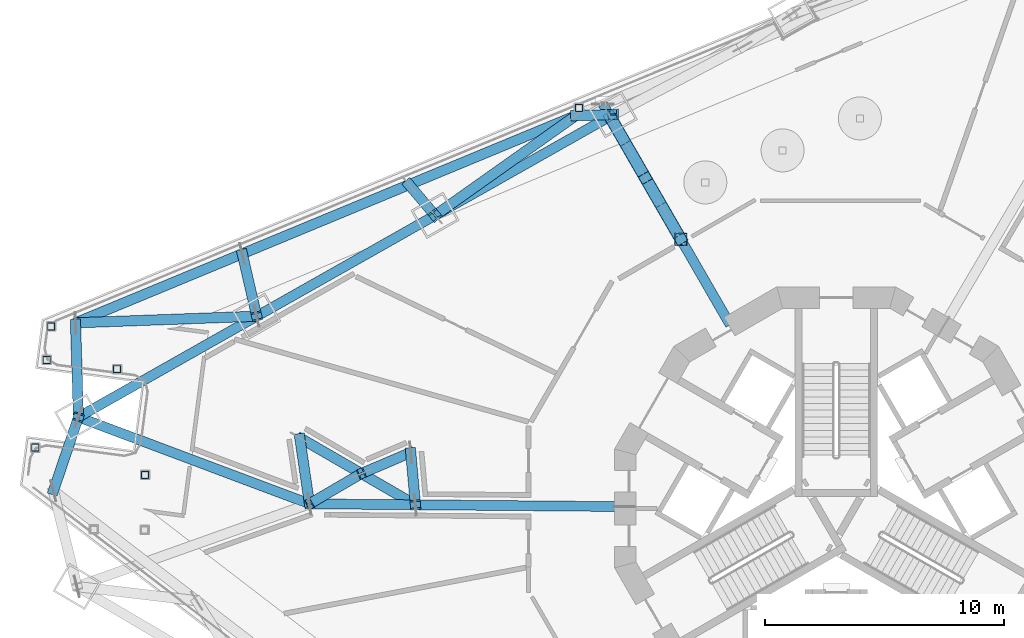
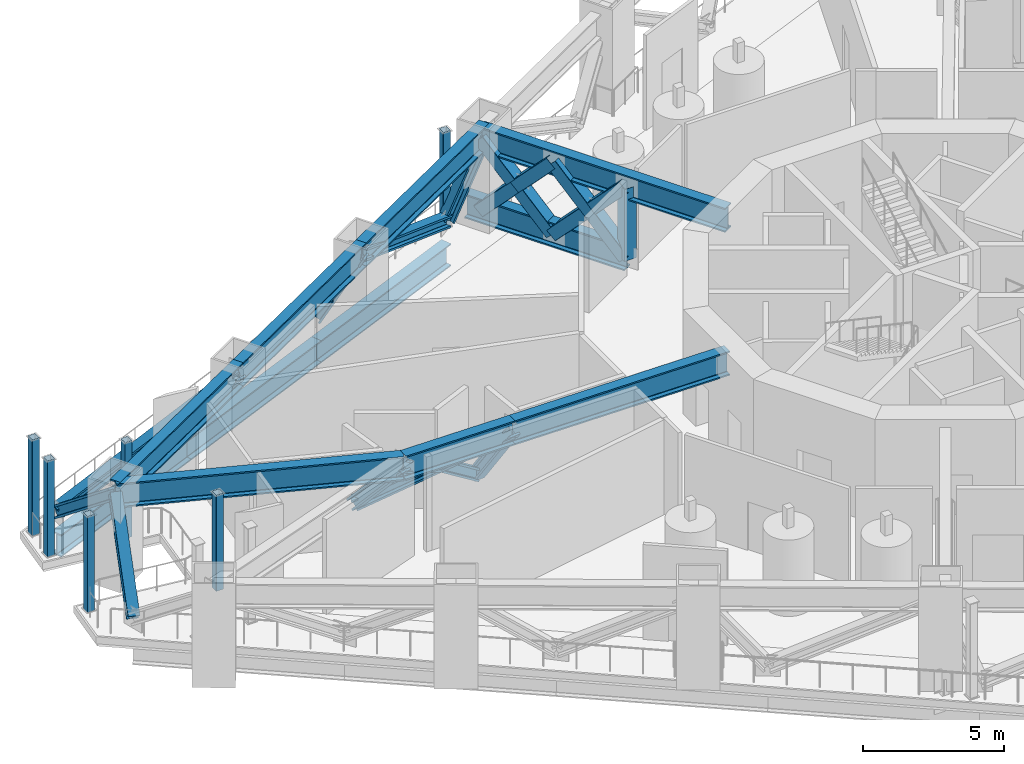
# One storey, part 4 of 23: 33 members, 3 beams.
"""IFC4 building model written with IfcOpenShell, lengths in metres."""

from ifc_helpers import new_model, si_unit, direction, frame, origin, origin_2d, place, context, subcontext, project, spatial, hollow_rectangle, i_section, extrude, material, material_profile, profile_set, type_object, element, save


model = new_model("IFC4")

# Units and contexts
model_context = context("Model", 3, precision=1e-05, world=origin(), true_north=direction((0.0, 1.0)))
body_context = subcontext(model_context, "Body", "Model", "MODEL_VIEW")
ifc_project = project(units=[si_unit("LENGTHUNIT", "METRE"), si_unit("AREAUNIT", "SQUARE_METRE"), si_unit("VOLUMEUNIT", "CUBIC_METRE"), si_unit("PLANEANGLEUNIT", "RADIAN"), si_unit("MASSUNIT", "GRAM", prefix="KILO")], contexts=[model_context])

# Site, building, storey
site_placement = place(None, origin())
site = spatial("IfcSite", under=ifc_project, at=site_placement, CompositionType="ELEMENT")
building_placement = place(site_placement, origin())
building = spatial("IfcBuilding", under=site, at=building_placement, Name="Trine Commons Tower", CompositionType="ELEMENT")
storey_placement = place(building_placement, frame((0.0, 0.0, 156.60009765625)))
storey = spatial("IfcBuildingStorey", under=building, at=storey_placement, Name="L40", CompositionType="ELEMENT", Elevation=156.60009765625)

# Beams
ifc_material_1 = material(Name="Structural steel ASTM A992 Gr50", Category="steel")
ifc_material_profile_1 = material_profile(ifc_material_1, i_section(OverallWidth=0.412841796875, OverallDepth=1.0478515625, WebThickness=0.033935546875, FlangeThickness=0.059814453125, FilletRadius=0.030029296875, at=origin_2d()), Name="W40X431")
ifc_profile_set_1 = profile_set([ifc_material_profile_1], Name="Structural steel ASTM A992 Gr50")
beam_type = type_object("IfcBeamType", Name="Steel beam W40X431, ASTM A992 Gr50", PredefinedType="BEAM", material=ifc_profile_set_1)
beam_1_placement = place(storey_placement, frame((48.29638671875, 66.3212890625, 3.6259765625), z_axis=(0.936202794011, -0.351460280097, 0.0), x_axis=(0.351460280097, 0.936202794011, 0.0)))
element("IfcBeam", 1, at=beam_1_placement, inside=storey, type_object=beam_type, Name="Transfer truss girder T4-UV-02", PredefinedType="BEAM", context=body_context, shape_type="SweptSolid", body=[
    extrude(i_section(OverallWidth=0.412841796875, OverallDepth=1.0478515625, WebThickness=0.033935546875, FlangeThickness=0.059814453125, FilletRadius=0.030029296875, at=origin_2d()), origin(), (0.0, 0.0, 1.0), 10.3251953125),
])
beam_2_placement = place(storey_placement, frame((71.127197265625, 62.577392578125, 3.6259765625), z_axis=(-0.999961955719, 0.008722792803, 0.0), x_axis=(-0.008722792803, -0.999961955719, 0.0)))
element("IfcBeam", 2, at=beam_2_placement, inside=storey, type_object=beam_type, Name="Transfer truss girder T4-UR-05", PredefinedType="BEAM", context=body_context, shape_type="SweptSolid", body=[
    extrude(i_section(OverallWidth=0.412841796875, OverallDepth=1.0478515625, WebThickness=0.033935546875, FlangeThickness=0.059814453125, FilletRadius=0.030029296875, at=origin_2d()), origin(), (0.0, 0.0, 1.0), 8.732421875),
])
beam_3_placement = place(storey_placement, frame((62.39501953125, 62.653564453125, 3.6259765625), z_axis=(-0.999961647418, 0.008758064445, 0.0), x_axis=(-0.008758064445, -0.999961647418, 0.0)))
element("IfcBeam", 3, at=beam_3_placement, inside=storey, type_object=beam_type, Name="Transfer truss girder T4-UR-06", PredefinedType="BEAM", context=body_context, shape_type="SweptSolid", body=[
    extrude(i_section(OverallWidth=0.412841796875, OverallDepth=1.0478515625, WebThickness=0.033935546875, FlangeThickness=0.059814453125, FilletRadius=0.030029296875, at=origin_2d()), origin(), (0.0, 0.0, 1.0), 4.432373046875),
])

# Members
ifc_material_2 = material(Name="Structural steel ASTM A500 Gr C", Category="steel")
ifc_material_profile_2 = material_profile(ifc_material_2, hollow_rectangle(XDim=0.508056640625, YDim=0.508056640625, WallThickness=0.014892578125, InnerFilletRadius=0.00732421875, OuterFilletRadius=0.022216796875, at=origin_2d()), Name="HSS20X20X5/8")
ifc_profile_set_2 = profile_set([ifc_material_profile_2], Name="Structural steel ASTM A500 Gr C")
member_type_1 = type_object("IfcMemberType", Name="Steel brace HSS20X20X5/8, ASTM A500 Gr C", PredefinedType="BRACE", material=ifc_profile_set_2)
member_1_placement = place(storey_placement, frame((73.5, 73.75830078125, 0.523681640625), z_axis=(-0.345729391684, 0.598786705019, 0.722444232878), x_axis=(-0.866013049743, -0.500021397217, 0.0)))
element("IfcMember", 4, at=member_1_placement, inside=storey, type_object=member_type_1, Name="Outrigger truss brace T4-OB-01", PredefinedType="BRACE", context=body_context, shape_type="SweptSolid", body=[
    extrude(hollow_rectangle(XDim=0.508056640625, YDim=0.508056640625, WallThickness=0.014892578125, InnerFilletRadius=0.00732421875, OuterFilletRadius=0.022216796875, at=origin_2d()), origin(), (0.0, 0.0, 1.0), 4.294189453125),
])
member_2_placement = place(storey_placement, frame((73.5, 73.75830078125, 3.6259765625), z_axis=(-0.34569353113, 0.598823070701, -0.722431251076), x_axis=(-0.866048655292, -0.499959725045, 0.0)))
element("IfcMember", 5, at=member_2_placement, inside=storey, type_object=member_type_1, Name="Outrigger truss brace T4-OB-02a", PredefinedType="BRACE", context=body_context, shape_type="SweptSolid", body=[
    extrude(hollow_rectangle(XDim=0.508056640625, YDim=0.508056640625, WallThickness=0.014892578125, InnerFilletRadius=0.00732421875, OuterFilletRadius=0.022216796875, at=origin_2d()), origin(), (0.0, 0.0, 1.0), 2.14697265625),
])
member_3_placement = place(storey_placement, frame((72.7578125, 75.0439453125, 2.074951171875), z_axis=(-0.345765246923, 0.59875034209, -0.722457211098), x_axis=(-0.865977442731, -0.500083061782, 0.0)))
element("IfcMember", 6, at=member_3_placement, inside=storey, type_object=member_type_1, Name="Outrigger truss brace T4-OB-02b", PredefinedType="BRACE", context=body_context, shape_type="SweptSolid", body=[
    extrude(hollow_rectangle(XDim=0.508056640625, YDim=0.508056640625, WallThickness=0.014892578125, InnerFilletRadius=0.00732421875, OuterFilletRadius=0.022216796875, at=origin_2d()), origin(), (0.0, 0.0, 1.0), 2.147216796875),
])
member_4_placement = place(storey_placement, frame((72.015380859375, 76.32958984375, 0.523681640625), z_axis=(-0.345679331868, 0.598798474216, 0.722458432573), x_axis=(-0.866048655292, -0.499959725045, 0.0)))
element("IfcMember", 7, at=member_4_placement, inside=storey, type_object=member_type_1, Name="Outrigger truss brace T4-OB-03", PredefinedType="BRACE", context=body_context, shape_type="SweptSolid", body=[
    extrude(hollow_rectangle(XDim=0.508056640625, YDim=0.508056640625, WallThickness=0.014892578125, InnerFilletRadius=0.00732421875, OuterFilletRadius=0.022216796875, at=origin_2d()), origin(), (0.0, 0.0, 1.0), 4.294189453125),
])
member_5_placement = place(storey_placement, frame((72.015380859375, 76.32958984375, 3.6259765625), z_axis=(-0.34569353113, 0.598823070701, -0.722431251076), x_axis=(-0.866048655292, -0.499959725045, 0.0)))
element("IfcMember", 8, at=member_5_placement, inside=storey, type_object=member_type_1, Name="Outrigger truss brace T4-OB-04a", PredefinedType="BRACE", context=body_context, shape_type="SweptSolid", body=[
    extrude(hollow_rectangle(XDim=0.508056640625, YDim=0.508056640625, WallThickness=0.014892578125, InnerFilletRadius=0.00732421875, OuterFilletRadius=0.022216796875, at=origin_2d()), origin(), (0.0, 0.0, 1.0), 2.14697265625),
])
member_6_placement = place(storey_placement, frame((71.273193359375, 77.615234375, 2.074951171875), z_axis=(-0.345665133238, 0.598773878826, -0.722485610721), x_axis=(-0.866048655292, -0.499959725045, 0.0)))
element("IfcMember", 9, at=member_6_placement, inside=storey, type_object=member_type_1, Name="Outrigger truss brace T4-OB-04b", PredefinedType="BRACE", context=body_context, shape_type="SweptSolid", body=[
    extrude(hollow_rectangle(XDim=0.508056640625, YDim=0.508056640625, WallThickness=0.014892578125, InnerFilletRadius=0.00732421875, OuterFilletRadius=0.022216796875, at=origin_2d()), origin(), (0.0, 0.0, 1.0), 2.147216796875),
])
ifc_material_profile_3 = material_profile(ifc_material_1, i_section(OverallWidth=0.4287109375, OverallDepth=0.482666015625, WebThickness=0.05126953125, FlangeThickness=0.08154296875, FilletRadius=0.015380859375, at=origin_2d()), Name="W14X455")
ifc_profile_set_3 = profile_set([ifc_material_profile_3], Name="Structural steel ASTM A992 Gr50")
member_type_2 = type_object("IfcMemberType", Name="Steel brace W14X455, ASTM A992 Gr50", PredefinedType="BRACE", material=ifc_profile_set_3)
member_7_placement = place(storey_placement, frame((47.248779296875, 63.23681640625, 0.482421875), z_axis=(0.231415090209, 0.681355919295, 0.694407061647), x_axis=(-0.946876852119, 0.32159637268, 0.0)))
element("IfcMember", 10, at=member_7_placement, inside=storey, type_object=member_type_2, Name="Belt truss brace T4-DG-15", PredefinedType="BRACE", context=body_context, shape_type="SweptSolid", body=[
    extrude(i_section(OverallWidth=0.4287109375, OverallDepth=0.482666015625, WebThickness=0.05126953125, FlangeThickness=0.08154296875, FilletRadius=0.015380859375, at=origin_2d()), origin(), (0.0, 0.0, 1.0), 4.52685546875),
])
member_8_placement = place(storey_placement, frame((48.174072265625, 70.264892578125, 0.482421875), z_axis=(0.024246174286, -0.781733439612, 0.623141197824), x_axis=(0.999519353406, 0.031001002666, 0.0)))
element("IfcMember", 11, at=member_8_placement, inside=storey, type_object=member_type_2, Name="Belt truss brace T4-DG-16", PredefinedType="BRACE", context=body_context, shape_type="SweptSolid", body=[
    extrude(i_section(OverallWidth=0.4287109375, OverallDepth=0.482666015625, WebThickness=0.05126953125, FlangeThickness=0.08154296875, FilletRadius=0.015380859375, at=origin_2d()), origin(), (0.0, 0.0, 1.0), 5.044677734375),
])
member_9_placement = place(storey_placement, frame((55.151123046875, 73.155029296875, 0.482421875), z_axis=(0.146339572735, -0.632385460863, 0.760705829043), x_axis=(0.974254489396, 0.225451080926, 0.0)))
element("IfcMember", 12, at=member_9_placement, inside=storey, type_object=member_type_2, Name="Belt truss brace T4-DG-17", PredefinedType="BRACE", context=body_context, shape_type="SweptSolid", body=[
    extrude(i_section(OverallWidth=0.4287109375, OverallDepth=0.482666015625, WebThickness=0.05126953125, FlangeThickness=0.08154296875, FilletRadius=0.015380859375, at=origin_2d()), origin(), (0.0, 0.0, 1.0), 4.13232421875),
])
member_10_placement = place(storey_placement, frame((48.174072265625, 70.264892578125, 0.482421875), z_axis=(0.92322191507, 0.033712241239, 0.382785553967), x_axis=(-0.036491538011, 0.999333962023, 0.0)))
element("IfcMember", 13, at=member_10_placement, inside=storey, type_object=member_type_2, Name="Belt truss brace T4-DG-18", PredefinedType="BRACE", context=body_context, shape_type="SweptSolid", body=[
    extrude(i_section(OverallWidth=0.4287109375, OverallDepth=0.482666015625, WebThickness=0.05126953125, FlangeThickness=0.08154296875, FilletRadius=0.015380859375, at=origin_2d()), origin(), (0.0, 0.0, 1.0), 8.21240234375),
])
member_11_placement = place(storey_placement, frame((62.128173828125, 76.044921875, 0.482421875), z_axis=(0.304883806334, -0.35987520267, 0.881779849587), x_axis=(0.7629951227, 0.646404240963, 0.0)))
element("IfcMember", 14, at=member_11_placement, inside=storey, type_object=member_type_2, Name="Belt truss brace T4-DG-19", PredefinedType="BRACE", context=body_context, shape_type="SweptSolid", body=[
    extrude(i_section(OverallWidth=0.4287109375, OverallDepth=0.482666015625, WebThickness=0.05126953125, FlangeThickness=0.08154296875, FilletRadius=0.015380859375, at=origin_2d()), origin(), (0.0, 0.0, 1.0), 3.56494140625),
])
member_12_placement = place(storey_placement, frame((69.105224609375, 78.93505859375, 0.482421875), z_axis=(-0.748106186012, -0.530024829541, 0.399262838892), x_axis=(0.578101792354, -0.815964654674, 0.0)))
element("IfcMember", 15, at=member_12_placement, inside=storey, type_object=member_type_2, Name="Belt truss brace T4-DG-20", PredefinedType="BRACE", context=body_context, shape_type="SweptSolid", body=[
    extrude(i_section(OverallWidth=0.4287109375, OverallDepth=0.482666015625, WebThickness=0.05126953125, FlangeThickness=0.08154296875, FilletRadius=0.015380859375, at=origin_2d()), origin(), (0.0, 0.0, 1.0), 7.873291015625),
])
member_13_placement = place(storey_placement, frame((69.105224609375, 78.93505859375, 0.482421875), z_axis=(0.446672659892, 0.01347868969, 0.894595919859), x_axis=(-0.030162036758, 0.999545022267, 0.0)))
element("IfcMember", 16, at=member_13_placement, inside=storey, type_object=member_type_2, Name="Belt truss brace T4-DG-21", PredefinedType="BRACE", context=body_context, shape_type="SweptSolid", body=[
    extrude(i_section(OverallWidth=0.4287109375, OverallDepth=0.482666015625, WebThickness=0.05126953125, FlangeThickness=0.08154296875, FilletRadius=0.015380859375, at=origin_2d()), origin(), (0.0, 0.0, 1.0), 3.513916015625),
])
member_14_placement = place(storey_placement, frame((62.198974609375, 64.843505859375, 0.482421875), z_axis=(0.051104314136, -0.570866373348, 0.819450994787), x_axis=(0.99601695292, 0.089164059442, 0.0)))
element("IfcMember", 17, at=member_14_placement, inside=storey, type_object=member_type_2, Name="Belt truss brace T4-DG-51", PredefinedType="BRACE", context=body_context, shape_type="SweptSolid", body=[
    extrude(i_section(OverallWidth=0.4287109375, OverallDepth=0.482666015625, WebThickness=0.05126953125, FlangeThickness=0.08154296875, FilletRadius=0.015380859375, at=origin_2d()), origin(), (0.0, 0.0, 1.0), 3.836181640625),
])
member_15_placement = place(storey_placement, frame((57.556884765625, 65.45458984375, 0.482421875), z_axis=(0.75434672742, -0.436727052717, 0.490133141356), x_axis=(0.501036270542, 0.865426285481, 0.0)))
element("IfcMember", 18, at=member_15_placement, inside=storey, type_object=member_type_2, Name="Belt truss brace T4-DG-52", PredefinedType="BRACE", context=body_context, shape_type="SweptSolid", body=[
    extrude(i_section(OverallWidth=0.4287109375, OverallDepth=0.482666015625, WebThickness=0.05126953125, FlangeThickness=0.08154296875, FilletRadius=0.015380859375, at=origin_2d()), origin(), (0.0, 0.0, 1.0), 6.41357421875),
])
member_16_placement = place(storey_placement, frame((57.556884765625, 65.45458984375, 0.482421875), z_axis=(0.096568029577, -0.65698778511, 0.747690889259), x_axis=(0.989369499075, 0.14542349982, 0.0)))
element("IfcMember", 19, at=member_16_placement, inside=storey, type_object=member_type_2, Name="Belt truss brace T4-DG-53", PredefinedType="BRACE", context=body_context, shape_type="SweptSolid", body=[
    extrude(i_section(OverallWidth=0.4287109375, OverallDepth=0.482666015625, WebThickness=0.05126953125, FlangeThickness=0.08154296875, FilletRadius=0.015380859375, at=origin_2d()), origin(), (0.0, 0.0, 1.0), 4.204345703125),
])
member_17_placement = place(storey_placement, frame((62.198974609375, 64.843505859375, 0.482421875), z_axis=(-0.736913700658, -0.314798932104, 0.598213866546), x_axis=(0.392842377846, -0.919605821082, 0.0)))
element("IfcMember", 20, at=member_17_placement, inside=storey, type_object=member_type_2, Name="Belt truss brace T4-DG-54a", PredefinedType="BRACE", context=body_context, shape_type="SweptSolid", body=[
    extrude(i_section(OverallWidth=0.4287109375, OverallDepth=0.482666015625, WebThickness=0.05126953125, FlangeThickness=0.08154296875, FilletRadius=0.015380859375, at=origin_2d()), origin(), (0.0, 0.0, 1.0), 2.800537109375),
])
member_18_placement = place(storey_placement, frame((60.13525390625, 63.9619140625, 2.15771484375), z_axis=(-0.745699654417, -0.435787615528, 0.50400513842), x_axis=(0.504558626068, -0.863377433606, 0.0)))
element("IfcMember", 21, at=member_18_placement, inside=storey, type_object=member_type_2, Name="Belt truss brace T4-DG-54b", PredefinedType="BRACE", context=body_context, shape_type="SweptSolid", body=[
    extrude(i_section(OverallWidth=0.4287109375, OverallDepth=0.482666015625, WebThickness=0.05126953125, FlangeThickness=0.08154296875, FilletRadius=0.015380859375, at=origin_2d()), origin(), (0.0, 0.0, 1.0), 2.9130859375),
])
ifc_material_profile_4 = material_profile(ifc_material_1, i_section(OverallWidth=0.42529296875, OverallDepth=0.965087890625, WebThickness=0.0283203125, FlangeThickness=0.051025390625, FilletRadius=0.024169921875, at=origin_2d()), Name="W36X361")
ifc_profile_set_4 = profile_set([ifc_material_profile_4], Name="Structural steel ASTM A992 Gr50")
member_type_3 = type_object("IfcMemberType", Name="Steel chord W36X361, ASTM A992 Gr50", PredefinedType="CHORD", material=ifc_profile_set_4)
member_19_placement = place(storey_placement, frame((48.174072265625, 70.264892578125, -0.9326171875), z_axis=(0.923872619505, 0.382700121412, 0.0), x_axis=(-0.382700121412, 0.923872619505, 0.0)))
element("IfcMember", 22, at=member_19_placement, inside=storey, type_object=member_type_3, Name="Belt truss chord T4-LC-08", PredefinedType="CHORD", context=body_context, shape_type="SweptSolid", body=[
    extrude(i_section(OverallWidth=0.42529296875, OverallDepth=0.965087890625, WebThickness=0.0283203125, FlangeThickness=0.051025390625, FilletRadius=0.024169921875, at=origin_2d()), origin(), (0.0, 0.0, 1.0), 7.552001953125),
])
member_20_placement = place(storey_placement, frame((55.151123046875, 73.155029296875, -0.9326171875), z_axis=(0.923884049359, 0.382672527548, 0.0), x_axis=(-0.382672527548, 0.923884049359, 0.0)))
element("IfcMember", 23, at=member_20_placement, inside=storey, type_object=member_type_3, Name="Belt truss chord T4-LC-09", PredefinedType="CHORD", context=body_context, shape_type="SweptSolid", body=[
    extrude(i_section(OverallWidth=0.42529296875, OverallDepth=0.965087890625, WebThickness=0.0283203125, FlangeThickness=0.051025390625, FilletRadius=0.024169921875, at=origin_2d()), origin(), (0.0, 0.0, 1.0), 7.5517578125),
])
member_21_placement = place(storey_placement, frame((62.128173828125, 76.044921875, -0.9326171875), z_axis=(0.923872619505, 0.382700121412, 0.0), x_axis=(-0.382700121412, 0.923872619505, 0.0)))
element("IfcMember", 24, at=member_21_placement, inside=storey, type_object=member_type_3, Name="Belt truss chord T4-LC-10", PredefinedType="CHORD", context=body_context, shape_type="SweptSolid", body=[
    extrude(i_section(OverallWidth=0.42529296875, OverallDepth=0.965087890625, WebThickness=0.0283203125, FlangeThickness=0.051025390625, FilletRadius=0.024169921875, at=origin_2d()), origin(), (0.0, 0.0, 1.0), 7.552001953125),
])
ifc_material_profile_5 = material_profile(ifc_material_1, i_section(OverallWidth=0.412841796875, OverallDepth=1.0478515625, WebThickness=0.033935546875, FlangeThickness=0.059814453125, FilletRadius=0.030029296875, at=origin_2d()), Name="W40X431")
ifc_profile_set_5 = profile_set([ifc_material_profile_5], Name="Structural steel ASTM A992 Gr50")
member_type_4 = type_object("IfcMemberType", Name="Steel chord W40X431, ASTM A992 Gr50", PredefinedType="CHORD", material=ifc_profile_set_5)
member_22_placement = place(storey_placement, frame((48.29638671875, 66.3212890625, 3.6259765625), z_axis=(0.870351074557, 0.49243172828, 0.0), x_axis=(-0.49243172828, 0.870351074557, 0.0)))
element("IfcMember", 25, at=member_22_placement, inside=storey, type_object=member_type_4, Name="Belt truss chord T4-UC-07", PredefinedType="CHORD", context=body_context, shape_type="SweptSolid", body=[
    extrude(i_section(OverallWidth=0.412841796875, OverallDepth=1.0478515625, WebThickness=0.033935546875, FlangeThickness=0.059814453125, FilletRadius=0.030029296875, at=origin_2d()), origin(), (0.0, 0.0, 1.0), 8.570556640625),
])
member_23_placement = place(storey_placement, frame((55.755859375, 70.541748046875, 3.6259765625), z_axis=(0.87035637588, 0.492422358311, 0.0), x_axis=(-0.492422358311, 0.87035637588, 0.0)))
element("IfcMember", 26, at=member_23_placement, inside=storey, type_object=member_type_4, Name="Belt truss chord T4-UC-08", PredefinedType="CHORD", context=body_context, shape_type="SweptSolid", body=[
    extrude(i_section(OverallWidth=0.412841796875, OverallDepth=1.0478515625, WebThickness=0.033935546875, FlangeThickness=0.059814453125, FilletRadius=0.030029296875, at=origin_2d()), origin(), (0.0, 0.0, 1.0), 8.5703125),
])
member_24_placement = place(storey_placement, frame((63.215087890625, 74.761962890625, 3.6259765625), z_axis=(0.870357981762, 0.492419519905, 0.0), x_axis=(-0.492419519905, 0.870357981762, 0.0)))
element("IfcMember", 27, at=member_24_placement, inside=storey, type_object=member_type_4, Name="Belt truss chord T4-UC-09", PredefinedType="CHORD", context=body_context, shape_type="SweptSolid", body=[
    extrude(i_section(OverallWidth=0.412841796875, OverallDepth=1.0478515625, WebThickness=0.033935546875, FlangeThickness=0.059814453125, FilletRadius=0.030029296875, at=origin_2d()), origin(), (0.0, 0.0, 1.0), 8.57080078125),
])
member_25_placement = place(storey_placement, frame((73.5, 73.75830078125, 0.523681640625), z_axis=(-0.499984993184, 0.866034067801, 0.0), x_axis=(-0.866034067801, -0.499984993184, 0.0)))
element("IfcMember", 28, at=member_25_placement, inside=storey, type_object=member_type_4, Name="Outrigger truss chord T4-OL-01", PredefinedType="CHORD", context=body_context, shape_type="SweptSolid", body=[
    extrude(i_section(OverallWidth=0.412841796875, OverallDepth=1.0478515625, WebThickness=0.033935546875, FlangeThickness=0.059814453125, FilletRadius=0.030029296875, at=origin_2d()), origin(), (0.0, 0.0, 1.0), 6.520263671875),
])
member_26_placement = place(storey_placement, frame((75.563720703125, 70.18408203125, 3.6259765625), z_axis=(-0.500005202617, 0.866022400031, 0.0), x_axis=(-0.866022400031, -0.500005202617, 0.0)))
element("IfcMember", 29, at=member_26_placement, inside=storey, type_object=member_type_4, Name="Outrigger truss chord T4-OU-01", PredefinedType="CHORD", context=body_context, shape_type="SweptSolid", body=[
    extrude(i_section(OverallWidth=0.412841796875, OverallDepth=1.0478515625, WebThickness=0.033935546875, FlangeThickness=0.059814453125, FilletRadius=0.030029296875, at=origin_2d()), origin(), (0.0, 0.0, 1.0), 10.0654296875),
])
ifc_material_profile_6 = material_profile(ifc_material_2, hollow_rectangle(XDim=0.3046875, YDim=0.3046875, WallThickness=0.014892578125, InnerFilletRadius=0.00732421875, OuterFilletRadius=0.022216796875, at=origin_2d()), Name="HSS12X12X5/8")
ifc_profile_set_6 = profile_set([ifc_material_profile_6], Name="Structural steel ASTM A500 Gr C")
member_type_5 = type_object("IfcMemberType", Name="Steel post HSS12X12X5/8, ASTM A500 Gr C", PredefinedType="POST", material=ifc_profile_set_6)
for number, where, z_axis, x_axis, name in (
    (30, (46.4892578125, 65.0458984375, 0.0), (0.0, 0.0, 1.0), (1.0, 0.0, 0.0), "Roof post SP4-11"),
    (31, (51.086181640625, 63.90234375, 0.0), (0.0, 0.0, 1.0), (1.0, 0.0, 0.0), "Roof post SP4-13"),
    (32, (46.97216796875, 68.714111328125, 0.0), (0.0, 0.0, 1.0), (1.0, 0.0, 0.0), "Roof post SP4-21"),
    (33, (47.156494140625, 70.114013671875, 0.0), (0.0, 0.0, 1.0), (1.0, 0.0, 0.0), "Roof post SP4-22"),
    (34, (69.235107421875, 79.259521484375, 0.0), (0.0, 0.0, 1.0), (1.0, 0.0, 0.0), "Roof post SP4-23"),
    (35, (49.912353515625, 68.3271484375, 0.0), (0.0, 0.0, 1.0), (1.0, 0.0, 0.0), "Roof post SP4-24"),
):
    element("IfcMember", number, at=place(storey_placement, frame(where, z_axis=z_axis, x_axis=x_axis)), inside=storey, type_object=member_type_5, Name=name, PredefinedType="POST", context=body_context, shape_type="SweptSolid", body=[
        extrude(hollow_rectangle(XDim=0.3046875, YDim=0.3046875, WallThickness=0.014892578125, InnerFilletRadius=0.00732421875, OuterFilletRadius=0.022216796875, at=origin_2d()), origin(), (0.0, 0.0, 1.0), 4.14990234375),
    ])
ifc_material_profile_7 = material_profile(ifc_material_2, hollow_rectangle(XDim=0.508056640625, YDim=0.508056640625, WallThickness=0.014892578125, InnerFilletRadius=0.00732421875, OuterFilletRadius=0.022216796875, at=origin_2d()), Name="HSS20X20X5/8")
ifc_profile_set_7 = profile_set([ifc_material_profile_7], Name="Structural steel ASTM A500 Gr C")
member_type_6 = type_object("IfcMemberType", Name="Steel post HSS20X20X5/8, ASTM A500 Gr C", PredefinedType="POST", material=ifc_profile_set_7)
member_27_placement = place(storey_placement, frame((73.5, 73.75830078125, 0.523681640625), z_axis=(0.0, 0.0, 1.0), x_axis=(1.0, 0.0, 0.0)))
element("IfcMember", 36, at=member_27_placement, inside=storey, type_object=member_type_6, Name="Outrigger truss post T4-OP-01", PredefinedType="POST", context=body_context, shape_type="SweptSolid", body=[
    extrude(hollow_rectangle(XDim=0.508056640625, YDim=0.508056640625, WallThickness=0.014892578125, InnerFilletRadius=0.00732421875, OuterFilletRadius=0.022216796875, at=origin_2d()), origin(), (0.0, 0.0, 1.0), 3.102294921875),
])

save(model, "model.ifc")
